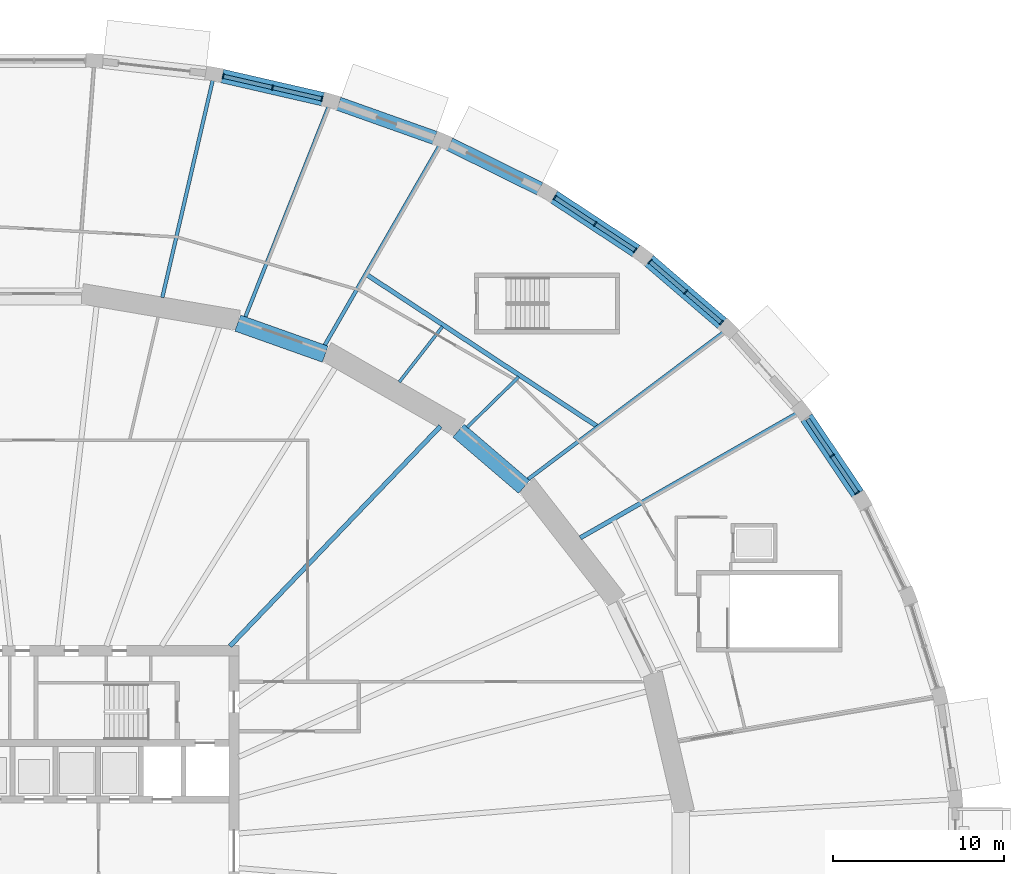
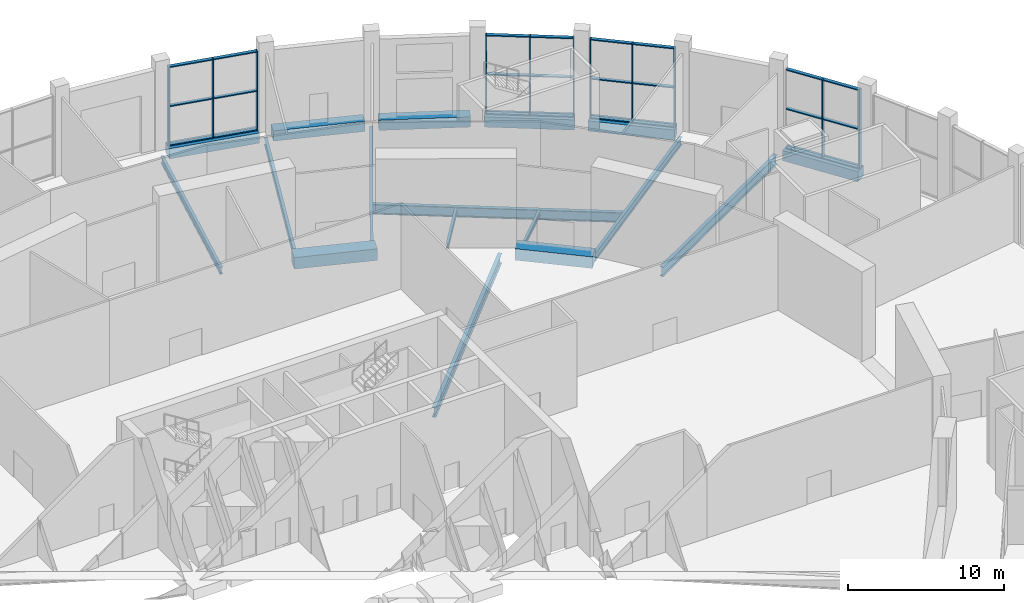
# One storey, part 13 of 33: 35 members, 17 beams, 4 elements without a shape of their own.
"""IFC4 building model written with IfcOpenShell, lengths in metres."""

from ifc_helpers import new_model, si_unit, direction, frame, origin, origin_2d, place, context, subcontext, project, spatial, rectangle, i_section, extrude, material, material_profile, profile_set, type_object, element, aggregate, save


model = new_model("IFC4")

# Units and contexts
model_context = context("Model", 3, precision=1e-05, world=origin(), true_north=direction((0.0, 1.0)))
body_context = subcontext(model_context, "Body", "Model", "MODEL_VIEW")
ifc_project = project(units=[si_unit("LENGTHUNIT", "METRE"), si_unit("AREAUNIT", "SQUARE_METRE"), si_unit("VOLUMEUNIT", "CUBIC_METRE"), si_unit("PLANEANGLEUNIT", "RADIAN"), si_unit("MASSUNIT", "GRAM", prefix="KILO")], contexts=[model_context])

# Site, building, storey
site_placement = place(None, origin())
site = spatial("IfcSite", under=ifc_project, at=site_placement, CompositionType="ELEMENT")
building_placement = place(site_placement, origin())
building = spatial("IfcBuilding", under=site, at=building_placement, Name="Halqa Exchange Tower", CompositionType="ELEMENT")
storey_placement = place(building_placement, origin())
storey = spatial("IfcBuildingStorey", under=building, at=storey_placement, Name="L00", CompositionType="ELEMENT", Elevation=0.0)

# Beams
ifc_material_1 = material(Name="Steel S355", Category="steel")
ifc_material_profile_1 = material_profile(ifc_material_1, i_section(OverallWidth=0.179931640625, OverallDepth=0.39990234375, WebThickness=0.008544921875, FlangeThickness=0.013427734375, FilletRadius=0.02099609375, at=origin_2d()), Name="IPE 400")
ifc_profile_set_1 = profile_set([ifc_material_profile_1], Name="Steel S355")
beam_type_1 = type_object("IfcBeamType", Name="Floor beam IPE 400", PredefinedType="BEAM", material=ifc_profile_set_1)
beam_1_placement = place(storey_placement, frame((25.322265625, 24.757080078125, -0.64990234375), z_axis=(0.715007310884, 0.699116975464, 0.0), x_axis=(-0.699116975464, 0.715007310884, 0.0)))
element("IfcBeam", 1, at=beam_1_placement, inside=storey, type_object=beam_type_1, Name="Radial beam 7a", PredefinedType="BEAM", context=body_context, shape_type="SweptSolid", body=[
    extrude(i_section(OverallWidth=0.179931640625, OverallDepth=0.39990234375, WebThickness=0.008544921875, FlangeThickness=0.013427734375, FilletRadius=0.02099609375, at=origin_2d()), origin(), (0.0, 0.0, 1.0), 4.22509765625),
])
beam_2_placement = place(storey_placement, frame((21.3603515625, 27.40966796875, -0.64990234375), z_axis=(0.614706293657, 0.788756091919, 0.0), x_axis=(-0.788756091919, 0.614706293657, 0.0)))
element("IfcBeam", 2, at=beam_2_placement, inside=storey, type_object=beam_type_1, Name="Radial beam 8a", PredefinedType="BEAM", context=body_context, shape_type="SweptSolid", body=[
    extrude(i_section(OverallWidth=0.179931640625, OverallDepth=0.39990234375, WebThickness=0.008544921875, FlangeThickness=0.013427734375, FilletRadius=0.02099609375, at=origin_2d()), origin(), (0.0, 0.0, 1.0), 4.104248046875),
])
ifc_material_profile_2 = material_profile(ifc_material_1, i_section(OverallWidth=0.2099609375, OverallDepth=0.550048828125, WebThickness=0.010986328125, FlangeThickness=0.01708984375, FilletRadius=0.02392578125, at=origin_2d()), Name="IPE 550")
ifc_profile_set_2 = profile_set([ifc_material_profile_2], Name="Steel S355")
beam_type_2 = type_object("IfcBeamType", Name="Floor beam IPE 550", PredefinedType="BEAM", material=ifc_profile_set_2)
beam_3_placement = place(storey_placement, frame((12.352294921875, 31.2001953125, -0.72509765625), z_axis=(0.368106640822, 0.929783577497, 0.0), x_axis=(-0.929783577497, 0.368106640822, 0.0)))
element("IfcBeam", 3, at=beam_3_placement, inside=storey, type_object=beam_type_2, Name="Radial beam 10", PredefinedType="BEAM", context=body_context, shape_type="SweptSolid", body=[
    extrude(i_section(OverallWidth=0.2099609375, OverallDepth=0.550048828125, WebThickness=0.010986328125, FlangeThickness=0.01708984375, FilletRadius=0.02392578125, at=origin_2d()), origin(), (0.0, 0.0, 1.0), 13.22412109375),
])
beam_4_placement = place(storey_placement, frame((7.5048828125, 32.35009765625, -0.72509765625), z_axis=(0.2259960959, 0.974128207495, 0.0), x_axis=(-0.974128207495, 0.2259960959, 0.0)))
element("IfcBeam", 4, at=beam_4_placement, inside=storey, type_object=beam_type_2, Name="Radial beam 11", PredefinedType="BEAM", context=body_context, shape_type="SweptSolid", body=[
    extrude(i_section(OverallWidth=0.2099609375, OverallDepth=0.550048828125, WebThickness=0.010986328125, FlangeThickness=0.01708984375, FilletRadius=0.02392578125, at=origin_2d()), origin(), (0.0, 0.0, 1.0), 13.03466796875),
])
ifc_material_profile_3 = material_profile(ifc_material_1, i_section(OverallWidth=0.219970703125, OverallDepth=0.60009765625, WebThickness=0.011962890625, FlangeThickness=0.01904296875, FilletRadius=0.02392578125, at=origin_2d()), Name="IPE 600")
ifc_profile_set_3 = profile_set([ifc_material_profile_3], Name="Steel S355")
beam_type_3 = type_object("IfcBeamType", Name="Floor beam IPE 600", PredefinedType="BEAM", material=ifc_profile_set_3)
beam_5_placement = place(storey_placement, frame((28.875732421875, 21.71240234375, -0.75), z_axis=(0.799257291391, 0.600989003359, 0.0), x_axis=(-0.600989003359, 0.799257291391, 0.0)))
element("IfcBeam", 5, at=beam_5_placement, inside=storey, type_object=beam_type_3, Name="Radial beam 6", PredefinedType="BEAM", context=body_context, shape_type="SweptSolid", body=[
    extrude(i_section(OverallWidth=0.219970703125, OverallDepth=0.60009765625, WebThickness=0.011962890625, FlangeThickness=0.01904296875, FilletRadius=0.02392578125, at=origin_2d()), origin(), (0.0, 0.0, 1.0), 14.291259765625),
])
beam_6_placement = place(storey_placement, frame((16.996826171875, 29.551513671875, -0.75), z_axis=(0.498570786865, 0.866848989435, 0.0), x_axis=(-0.866848989435, 0.498570786865, 0.0)))
element("IfcBeam", 6, at=beam_6_placement, inside=storey, type_object=beam_type_3, Name="Radial beam 9", PredefinedType="BEAM", context=body_context, shape_type="SweptSolid", body=[
    extrude(i_section(OverallWidth=0.219970703125, OverallDepth=0.60009765625, WebThickness=0.011962890625, FlangeThickness=0.01904296875, FilletRadius=0.02392578125, at=origin_2d()), origin(), (0.0, 0.0, 1.0), 13.438720703125),
])
ifc_material_profile_4 = material_profile(ifc_material_1, i_section(OverallWidth=0.264892578125, OverallDepth=0.7529296875, WebThickness=0.01318359375, FlangeThickness=0.01708984375, FilletRadius=0.01708984375, at=origin_2d()), Name="IPE 750x147")
ifc_profile_set_4 = profile_set([ifc_material_profile_4], Name="Steel S355")
beam_type_4 = type_object("IfcBeamType", Name="Floor beam IPE 750x147", PredefinedType="BEAM", material=ifc_profile_set_4)
beam_7_placement = place(storey_placement, frame((31.942626953125, 18.300048828125, -0.826416015625), z_axis=(0.867691436398, 0.497103179633, 0.0), x_axis=(-0.497103179633, 0.867691436398, 0.0)))
element("IfcBeam", 7, at=beam_7_placement, inside=storey, type_object=beam_type_4, Name="Radial beam 5", PredefinedType="BEAM", context=body_context, shape_type="SweptSolid", body=[
    extrude(i_section(OverallWidth=0.264892578125, OverallDepth=0.7529296875, WebThickness=0.01318359375, FlangeThickness=0.01708984375, FilletRadius=0.01708984375, at=origin_2d()), origin(), (0.0, 0.0, 1.0), 14.555908203125),
])
ifc_material_profile_5 = material_profile(ifc_material_1, i_section(OverallWidth=0.26806640625, OverallDepth=0.77001953125, WebThickness=0.015625, FlangeThickness=0.025390625, FilletRadius=0.01708984375, at=origin_2d()), Name="IPE 750x196")
ifc_profile_set_5 = profile_set([ifc_material_profile_5], Name="Steel S355")
beam_type_5 = type_object("IfcBeamType", Name="Floor beam IPE 750x196", PredefinedType="BEAM", material=ifc_profile_set_5)
beam_8_placement = place(storey_placement, frame((11.46240234375, 11.9716796875, -0.8349609375), z_axis=(0.6915763718, 0.722303344841, 0.0), x_axis=(-0.722303344841, 0.6915763718, 0.0)))
element("IfcBeam", 8, at=beam_8_placement, inside=storey, type_object=beam_type_5, Name="Radial beam 5", PredefinedType="BEAM", context=body_context, shape_type="SweptSolid", body=[
    extrude(i_section(OverallWidth=0.26806640625, OverallDepth=0.77001953125, WebThickness=0.015625, FlangeThickness=0.025390625, FilletRadius=0.01708984375, at=origin_2d()), origin(), (0.0, 0.0, 1.0), 17.7978515625),
])
beam_9_placement = place(storey_placement, frame((32.896728515625, 24.839599609375, -0.8349609375), z_axis=(-0.835204203593, 0.54993994063, 0.0), x_axis=(-0.54993994063, -0.835204203593, 0.0)))
element("IfcBeam", 9, at=beam_9_placement, inside=storey, type_object=beam_type_5, Name="Radial beam TPS1-in", PredefinedType="BEAM", context=body_context, shape_type="SweptSolid", body=[
    extrude(i_section(OverallWidth=0.26806640625, OverallDepth=0.77001953125, WebThickness=0.015625, FlangeThickness=0.025390625, FilletRadius=0.01708984375, at=origin_2d()), origin(), (0.0, 0.0, 1.0), 16.07958984375),
])
ifc_material_2 = material(Name="Concrete C60/75", Category="concrete")
ifc_material_profile_6 = material_profile(ifc_material_2, rectangle(XDim=0.800048828125, YDim=0.800048828125, at=origin_2d()), Name="800 x 800")
ifc_profile_set_6 = profile_set([ifc_material_profile_6], Name="Concrete C60/75")
beam_type_6 = type_object("IfcBeamType", Name="RC podium edge beam 800 x 800 C60/75", PredefinedType="SPANDREL", material=ifc_profile_set_6)
beam_10_placement = place(storey_placement, frame((48.1669921875, 20.8701171875, -0.39990234375), z_axis=(-0.558528358221, 0.829485426673, 0.0), x_axis=(-0.829485426673, -0.558528358221, 0.0)))
element("IfcBeam", 10, at=beam_10_placement, inside=storey, type_object=beam_type_6, Name="Podium edge beam 4", PredefinedType="SPANDREL", context=body_context, shape_type="SweptSolid", body=[
    extrude(rectangle(XDim=0.800048828125, YDim=0.800048828125, at=origin_2d()), origin(), (0.0, 0.0, 1.0), 5.378173828125),
])
beam_11_placement = place(storey_placement, frame((40.240478515625, 30.83544921875, -0.39990234375), z_axis=(-0.759174010844, 0.650887717859, 0.0), x_axis=(-0.650887717859, -0.759174010844, 0.0)))
element("IfcBeam", 11, at=beam_11_placement, inside=storey, type_object=beam_type_6, Name="Podium edge beam 6", PredefinedType="SPANDREL", context=body_context, shape_type="SweptSolid", body=[
    extrude(rectangle(XDim=0.800048828125, YDim=0.800048828125, at=origin_2d()), origin(), (0.0, 0.0, 1.0), 5.63427734375),
])
beam_12_placement = place(storey_placement, frame((35.208984375, 35.070556640625, -0.39990234375), z_axis=(-0.835418618456, 0.549614166426, 0.0), x_axis=(-0.549614166426, -0.835418618456, 0.0)))
element("IfcBeam", 12, at=beam_12_placement, inside=storey, type_object=beam_type_6, Name="Podium edge beam 7", PredefinedType="SPANDREL", context=body_context, shape_type="SweptSolid", body=[
    extrude(rectangle(XDim=0.800048828125, YDim=0.800048828125, at=origin_2d()), origin(), (0.0, 0.0, 1.0), 5.760986328125),
])
beam_13_placement = place(storey_placement, frame((29.576904296875, 38.706787109375, -0.39990234375), z_axis=(-0.896205416004, 0.443639326847, 0.0), x_axis=(-0.443639326847, -0.896205416004, 0.0)))
element("IfcBeam", 13, at=beam_13_placement, inside=storey, type_object=beam_type_6, Name="Podium edge beam 8", PredefinedType="SPANDREL", context=body_context, shape_type="SweptSolid", body=[
    extrude(rectangle(XDim=0.800048828125, YDim=0.800048828125, at=origin_2d()), origin(), (0.0, 0.0, 1.0), 5.880126953125),
])
beam_14_placement = place(storey_placement, frame((23.4384765625, 41.683349609375, -0.39990234375), z_axis=(-0.942343471221, 0.334647250469, 0.0), x_axis=(-0.334647250469, -0.942343471221, 0.0)))
element("IfcBeam", 14, at=beam_14_placement, inside=storey, type_object=beam_type_6, Name="Podium edge beam 9", PredefinedType="SPANDREL", context=body_context, shape_type="SweptSolid", body=[
    extrude(rectangle(XDim=0.800048828125, YDim=0.800048828125, at=origin_2d()), origin(), (0.0, 0.0, 1.0), 5.980712890625),
])
beam_15_placement = place(storey_placement, frame((16.89794921875, 43.948486328125, -0.39990234375), z_axis=(-0.974604133477, 0.223934774008, 0.0), x_axis=(-0.223934774008, -0.974604133477, 0.0)))
element("IfcBeam", 15, at=beam_15_placement, inside=storey, type_object=beam_type_6, Name="Podium edge beam 10", PredefinedType="SPANDREL", context=body_context, shape_type="SweptSolid", body=[
    extrude(rectangle(XDim=0.800048828125, YDim=0.800048828125, at=origin_2d()), origin(), (0.0, 0.0, 1.0), 6.05517578125),
])
ifc_material_profile_7 = material_profile(ifc_material_2, rectangle(XDim=1.0, YDim=0.89990234375, at=origin_2d()), Name="1000 x 900")
ifc_profile_set_7 = profile_set([ifc_material_profile_7], Name="Concrete C60/75")
beam_type_7 = type_object("IfcBeamType", Name="RC spandrel beam 1000 x 900 C60/75", PredefinedType="SPANDREL", material=ifc_profile_set_7)
beam_16_placement = place(storey_placement, frame((28.659423828125, 21.27587890625, -0.449951171875), z_axis=(-0.759263417999, 0.650783421799, 0.0), x_axis=(-0.650783421799, -0.759263417999, 0.0)))
element("IfcBeam", 16, at=beam_16_placement, inside=storey, type_object=beam_type_7, Name="Spandrel 4", PredefinedType="SPANDREL", context=body_context, shape_type="SweptSolid", body=[
    extrude(rectangle(XDim=1.0, YDim=0.89990234375, at=origin_2d()), origin(), (0.0, 0.0, 1.0), 5.056884765625),
])
beam_17_placement = place(storey_placement, frame((17.030029296875, 29.038818359375, -0.449951171875), z_axis=(-0.942357788657, 0.334606930826, 0.0), x_axis=(-0.334606930826, -0.942357788657, 0.0)))
element("IfcBeam", 17, at=beam_17_placement, inside=storey, type_object=beam_type_7, Name="Spandrel 6", PredefinedType="SPANDREL", context=body_context, shape_type="SweptSolid", body=[
    extrude(rectangle(XDim=1.0, YDim=0.89990234375, at=origin_2d()), origin(), (0.0, 0.0, 1.0), 5.429931640625),
])

# Curtain wall, members
ifc_material_3 = material(Name="Anodised aluminium and clear glass", Category="aluminium")
curtain_wall_type = type_object("IfcCurtainWallType", Name="Station concourse glazing", PredefinedType="NOTDEFINED", material=ifc_material_3)
curtain_wall_1_placement = place(storey_placement, origin())
curtain_wall_1 = element("IfcCurtainWall", 18, at=curtain_wall_1_placement, inside=storey, type_object=curtain_wall_type, Name="Station concourse glazing run P4", PredefinedType="NOTDEFINED")
ifc_material_4 = material(Name="Anodised aluminium", Category="aluminium")
ifc_material_profile_8 = material_profile(ifc_material_4, rectangle(XDim=0.300048828125, YDim=0.080078125, at=origin_2d()), Name="AL 80x300")
ifc_profile_set_8 = profile_set([ifc_material_profile_8], Name="Anodised aluminium")
member_type_1 = type_object("IfcMemberType", Name="Station concourse glazing mullion 80 x 300", PredefinedType="MULLION", material=ifc_profile_set_8)
member_1_placement = place(storey_placement, frame((48.12939453125, 20.92578125, 0.0), z_axis=(0.0, 0.0, 1.0), x_axis=(-0.8294895023, -0.55852230535, 0.0)))
member_1 = element("IfcMember", 19, at=member_1_placement, type_object=member_type_1, Name="P4 mullion 1", PredefinedType="MULLION", context=body_context, shape_type="SweptSolid", body=[
    extrude(rectangle(XDim=0.300048828125, YDim=0.080078125, at=origin_2d()), origin(), (0.0, 0.0, 1.0), 6.199951171875),
])
member_2_placement = place(storey_placement, frame((46.665283203125, 23.100341796875, 0.0), z_axis=(0.0, 0.0, 1.0), x_axis=(-0.8294895023, -0.55852230535, 0.0)))
member_2 = element("IfcMember", 20, at=member_2_placement, type_object=member_type_1, Name="P4 mullion 2", PredefinedType="MULLION", context=body_context, shape_type="SweptSolid", body=[
    extrude(rectangle(XDim=0.300048828125, YDim=0.080078125, at=origin_2d()), origin(), (0.0, 0.0, 1.0), 6.199951171875),
])

curtain_wall_2_placement = place(storey_placement, origin())
curtain_wall_2 = element("IfcCurtainWall", 21, at=curtain_wall_2_placement, inside=storey, type_object=curtain_wall_type, Name="Station concourse glazing run P6", PredefinedType="NOTDEFINED")
member_3_placement = place(storey_placement, frame((40.189453125, 30.879150390625, 0.0), z_axis=(0.0, 0.0, 1.0), x_axis=(-0.650910929175, -0.759154109704, 0.0)))
member_3 = element("IfcMember", 22, at=member_3_placement, type_object=member_type_1, Name="P6 mullion 1", PredefinedType="MULLION", context=body_context, shape_type="SweptSolid", body=[
    extrude(rectangle(XDim=0.300048828125, YDim=0.080078125, at=origin_2d()), origin(), (0.0, 0.0, 1.0), 6.199951171875),
])
member_4_placement = place(storey_placement, frame((38.10205078125, 32.6689453125, 0.0), z_axis=(0.0, 0.0, 1.0), x_axis=(-0.650910929175, -0.759154109704, 0.0)))
member_4 = element("IfcMember", 23, at=member_4_placement, type_object=member_type_1, Name="P6 mullion 2", PredefinedType="MULLION", context=body_context, shape_type="SweptSolid", body=[
    extrude(rectangle(XDim=0.300048828125, YDim=0.080078125, at=origin_2d()), origin(), (0.0, 0.0, 1.0), 6.199951171875),
])
member_5_placement = place(storey_placement, frame((36.0146484375, 34.458740234375, 0.0), z_axis=(0.0, 0.0, 1.0), x_axis=(-0.650910929175, -0.759154109704, 0.0)))
member_5 = element("IfcMember", 24, at=member_5_placement, type_object=member_type_1, Name="P6 mullion 3", PredefinedType="MULLION", context=body_context, shape_type="SweptSolid", body=[
    extrude(rectangle(XDim=0.300048828125, YDim=0.080078125, at=origin_2d()), origin(), (0.0, 0.0, 1.0), 6.199951171875),
])

curtain_wall_3_placement = place(storey_placement, origin())
curtain_wall_3 = element("IfcCurtainWall", 25, at=curtain_wall_3_placement, inside=storey, type_object=curtain_wall_type, Name="Station concourse glazing run P7", PredefinedType="NOTDEFINED")
member_6_placement = place(storey_placement, frame((35.153564453125, 35.10693359375, 0.0), z_axis=(0.0, 0.0, 1.0), x_axis=(-0.549620040919, -0.835414753652, 0.0)))
member_6 = element("IfcMember", 26, at=member_6_placement, type_object=member_type_1, Name="P7 mullion 1", PredefinedType="MULLION", context=body_context, shape_type="SweptSolid", body=[
    extrude(rectangle(XDim=0.300048828125, YDim=0.080078125, at=origin_2d()), origin(), (0.0, 0.0, 1.0), 6.199951171875),
])
member_7_placement = place(storey_placement, frame((32.802734375, 36.653564453125, 0.0), z_axis=(0.0, 0.0, 1.0), x_axis=(-0.549620040919, -0.835414753652, 0.0)))
member_7 = element("IfcMember", 27, at=member_7_placement, type_object=member_type_1, Name="P7 mullion 2", PredefinedType="MULLION", context=body_context, shape_type="SweptSolid", body=[
    extrude(rectangle(XDim=0.300048828125, YDim=0.080078125, at=origin_2d()), origin(), (0.0, 0.0, 1.0), 6.199951171875),
])
member_8_placement = place(storey_placement, frame((30.451904296875, 38.2001953125, 0.0), z_axis=(0.0, 0.0, 1.0), x_axis=(-0.549620040919, -0.835414753652, 0.0)))
member_8 = element("IfcMember", 28, at=member_8_placement, type_object=member_type_1, Name="P7 mullion 3", PredefinedType="MULLION", context=body_context, shape_type="SweptSolid", body=[
    extrude(rectangle(XDim=0.300048828125, YDim=0.080078125, at=origin_2d()), origin(), (0.0, 0.0, 1.0), 6.199951171875),
])

curtain_wall_4_placement = place(storey_placement, origin())
curtain_wall_4 = element("IfcCurtainWall", 29, at=curtain_wall_4_placement, inside=storey, type_object=curtain_wall_type, Name="Station concourse glazing run P10", PredefinedType="NOTDEFINED")
member_9_placement = place(storey_placement, frame((16.831298828125, 43.9638671875, 0.0), z_axis=(0.0, 0.0, 1.0), x_axis=(-0.223896655269, -0.974612891234, 0.0)))
member_9 = element("IfcMember", 30, at=member_9_placement, type_object=member_type_1, Name="P10 mullion 1", PredefinedType="MULLION", context=body_context, shape_type="SweptSolid", body=[
    extrude(rectangle(XDim=0.300048828125, YDim=0.080078125, at=origin_2d()), origin(), (0.0, 0.0, 1.0), 6.199951171875),
])
member_10_placement = place(storey_placement, frame((13.9462890625, 44.626708984375, 0.0), z_axis=(0.0, 0.0, 1.0), x_axis=(-0.223896655269, -0.974612891234, 0.0)))
member_10 = element("IfcMember", 31, at=member_10_placement, type_object=member_type_1, Name="P10 mullion 2", PredefinedType="MULLION", context=body_context, shape_type="SweptSolid", body=[
    extrude(rectangle(XDim=0.300048828125, YDim=0.080078125, at=origin_2d()), origin(), (0.0, 0.0, 1.0), 6.199951171875),
])
member_11_placement = place(storey_placement, frame((11.061279296875, 45.28955078125, 0.0), z_axis=(0.0, 0.0, 1.0), x_axis=(-0.223896655269, -0.974612891234, 0.0)))
member_11 = element("IfcMember", 32, at=member_11_placement, type_object=member_type_1, Name="P10 mullion 3", PredefinedType="MULLION", context=body_context, shape_type="SweptSolid", body=[
    extrude(rectangle(XDim=0.300048828125, YDim=0.080078125, at=origin_2d()), origin(), (0.0, 0.0, 1.0), 6.199951171875),
])

# Member
ifc_material_profile_9 = material_profile(ifc_material_4, rectangle(XDim=0.25, YDim=0.080078125, at=origin_2d()), Name="AL 80x250")
ifc_profile_set_9 = profile_set([ifc_material_profile_9], Name="Anodised aluminium")
member_type_2 = type_object("IfcMemberType", Name="Station concourse glazing transom 80 x 250", PredefinedType="USERDEFINED", material=ifc_profile_set_9)
member_12_placement = place(storey_placement, frame((48.107177734375, 20.958984375, 0.0400390625), z_axis=(-0.558528904332, 0.829485058953, 0.0), x_axis=(-0.829485058953, -0.558528904332, 0.0)))
member_12 = element("IfcMember", 33, at=member_12_placement, type_object=member_type_2, Name="P4 transom 1.1", ObjectType="TRANSOM", PredefinedType="USERDEFINED", context=body_context, shape_type="SweptSolid", body=[
    extrude(rectangle(XDim=0.25, YDim=0.080078125, at=origin_2d()), origin(), (0.0, 0.0, 1.0), 2.541748046875),
])

member_13_placement = place(storey_placement, frame((48.107177734375, 20.958984375, 3.10009765625), z_axis=(-0.558528904332, 0.829485058953, 0.0), x_axis=(-0.829485058953, -0.558528904332, 0.0)))
member_13 = element("IfcMember", 34, at=member_13_placement, type_object=member_type_2, Name="P4 transom 1.2", ObjectType="TRANSOM", PredefinedType="USERDEFINED", context=body_context, shape_type="SweptSolid", body=[
    extrude(rectangle(XDim=0.25, YDim=0.080078125, at=origin_2d()), origin(), (0.0, 0.0, 1.0), 2.541748046875),
])

member_14_placement = place(storey_placement, frame((48.107177734375, 20.958984375, 6.159912109375), z_axis=(-0.558528904332, 0.829485058953, 0.0), x_axis=(-0.829485058953, -0.558528904332, 0.0)))
member_14 = element("IfcMember", 35, at=member_14_placement, type_object=member_type_2, Name="P4 transom 1.3", ObjectType="TRANSOM", PredefinedType="USERDEFINED", context=body_context, shape_type="SweptSolid", body=[
    extrude(rectangle(XDim=0.25, YDim=0.080078125, at=origin_2d()), origin(), (0.0, 0.0, 1.0), 2.541748046875),
])

member_15_placement = place(storey_placement, frame((46.642822265625, 23.133544921875, 0.0400390625), z_axis=(-0.558462812465, 0.829529557697, 0.0), x_axis=(-0.829529557697, -0.558462812465, 0.0)))
member_15 = element("IfcMember", 36, at=member_15_placement, type_object=member_type_2, Name="P4 transom 2.1", ObjectType="TRANSOM", PredefinedType="USERDEFINED", context=body_context, shape_type="SweptSolid", body=[
    extrude(rectangle(XDim=0.25, YDim=0.080078125, at=origin_2d()), origin(), (0.0, 0.0, 1.0), 2.541748046875),
])

member_16_placement = place(storey_placement, frame((46.642822265625, 23.133544921875, 3.10009765625), z_axis=(-0.558462812465, 0.829529557697, 0.0), x_axis=(-0.829529557697, -0.558462812465, 0.0)))
member_16 = element("IfcMember", 37, at=member_16_placement, type_object=member_type_2, Name="P4 transom 2.2", ObjectType="TRANSOM", PredefinedType="USERDEFINED", context=body_context, shape_type="SweptSolid", body=[
    extrude(rectangle(XDim=0.25, YDim=0.080078125, at=origin_2d()), origin(), (0.0, 0.0, 1.0), 2.541748046875),
])

member_17_placement = place(storey_placement, frame((46.642822265625, 23.133544921875, 6.159912109375), z_axis=(-0.558462812465, 0.829529557697, 0.0), x_axis=(-0.829529557697, -0.558462812465, 0.0)))
member_17 = element("IfcMember", 38, at=member_17_placement, type_object=member_type_2, Name="P4 transom 2.3", ObjectType="TRANSOM", PredefinedType="USERDEFINED", context=body_context, shape_type="SweptSolid", body=[
    extrude(rectangle(XDim=0.25, YDim=0.080078125, at=origin_2d()), origin(), (0.0, 0.0, 1.0), 2.541748046875),
])

aggregate(curtain_wall_1, [member_1, member_2, member_12, member_13, member_14, member_15, member_16, member_17])

member_18_placement = place(storey_placement, frame((40.158935546875, 30.9052734375, 0.0400390625), z_axis=(-0.759172672119, 0.6508892793, 0.0), x_axis=(-0.6508892793, -0.759172672119, 0.0)))
member_18 = element("IfcMember", 39, at=member_18_placement, type_object=member_type_2, Name="P6 transom 1.1", ObjectType="TRANSOM", PredefinedType="USERDEFINED", context=body_context, shape_type="SweptSolid", body=[
    extrude(rectangle(XDim=0.25, YDim=0.080078125, at=origin_2d()), origin(), (0.0, 0.0, 1.0), 2.66943359375),
])

member_19_placement = place(storey_placement, frame((40.158935546875, 30.9052734375, 3.10009765625), z_axis=(-0.759172672119, 0.6508892793, 0.0), x_axis=(-0.6508892793, -0.759172672119, 0.0)))
member_19 = element("IfcMember", 40, at=member_19_placement, type_object=member_type_2, Name="P6 transom 1.2", ObjectType="TRANSOM", PredefinedType="USERDEFINED", context=body_context, shape_type="SweptSolid", body=[
    extrude(rectangle(XDim=0.25, YDim=0.080078125, at=origin_2d()), origin(), (0.0, 0.0, 1.0), 2.66943359375),
])

member_20_placement = place(storey_placement, frame((40.158935546875, 30.9052734375, 6.159912109375), z_axis=(-0.759172672119, 0.6508892793, 0.0), x_axis=(-0.6508892793, -0.759172672119, 0.0)))
member_20 = element("IfcMember", 41, at=member_20_placement, type_object=member_type_2, Name="P6 transom 1.3", ObjectType="TRANSOM", PredefinedType="USERDEFINED", context=body_context, shape_type="SweptSolid", body=[
    extrude(rectangle(XDim=0.25, YDim=0.080078125, at=origin_2d()), origin(), (0.0, 0.0, 1.0), 2.66943359375),
])

member_21_placement = place(storey_placement, frame((38.071533203125, 32.695068359375, 0.0400390625), z_axis=(-0.759172672119, 0.6508892793, 0.0), x_axis=(-0.6508892793, -0.759172672119, 0.0)))
member_21 = element("IfcMember", 42, at=member_21_placement, type_object=member_type_2, Name="P6 transom 2.1", ObjectType="TRANSOM", PredefinedType="USERDEFINED", context=body_context, shape_type="SweptSolid", body=[
    extrude(rectangle(XDim=0.25, YDim=0.080078125, at=origin_2d()), origin(), (0.0, 0.0, 1.0), 2.66943359375),
])

member_22_placement = place(storey_placement, frame((38.071533203125, 32.695068359375, 3.10009765625), z_axis=(-0.759172672119, 0.6508892793, 0.0), x_axis=(-0.6508892793, -0.759172672119, 0.0)))
member_22 = element("IfcMember", 43, at=member_22_placement, type_object=member_type_2, Name="P6 transom 2.2", ObjectType="TRANSOM", PredefinedType="USERDEFINED", context=body_context, shape_type="SweptSolid", body=[
    extrude(rectangle(XDim=0.25, YDim=0.080078125, at=origin_2d()), origin(), (0.0, 0.0, 1.0), 2.66943359375),
])

member_23_placement = place(storey_placement, frame((38.071533203125, 32.695068359375, 6.159912109375), z_axis=(-0.759172672119, 0.6508892793, 0.0), x_axis=(-0.6508892793, -0.759172672119, 0.0)))
member_23 = element("IfcMember", 44, at=member_23_placement, type_object=member_type_2, Name="P6 transom 2.3", ObjectType="TRANSOM", PredefinedType="USERDEFINED", context=body_context, shape_type="SweptSolid", body=[
    extrude(rectangle(XDim=0.25, YDim=0.080078125, at=origin_2d()), origin(), (0.0, 0.0, 1.0), 2.66943359375),
])

aggregate(curtain_wall_2, [member_3, member_4, member_5, member_18, member_19, member_20, member_21, member_22, member_23])

member_24_placement = place(storey_placement, frame((35.1201171875, 35.12890625, 0.0400390625), z_axis=(-0.835400896538, 0.54964110296, 0.0), x_axis=(-0.54964110296, -0.835400896538, 0.0)))
member_24 = element("IfcMember", 45, at=member_24_placement, type_object=member_type_2, Name="P7 transom 1.1", ObjectType="TRANSOM", PredefinedType="USERDEFINED", context=body_context, shape_type="SweptSolid", body=[
    extrude(rectangle(XDim=0.25, YDim=0.080078125, at=origin_2d()), origin(), (0.0, 0.0, 1.0), 2.73388671875),
])

member_25_placement = place(storey_placement, frame((35.1201171875, 35.12890625, 3.10009765625), z_axis=(-0.835400896538, 0.54964110296, 0.0), x_axis=(-0.54964110296, -0.835400896538, 0.0)))
member_25 = element("IfcMember", 46, at=member_25_placement, type_object=member_type_2, Name="P7 transom 1.2", ObjectType="TRANSOM", PredefinedType="USERDEFINED", context=body_context, shape_type="SweptSolid", body=[
    extrude(rectangle(XDim=0.25, YDim=0.080078125, at=origin_2d()), origin(), (0.0, 0.0, 1.0), 2.73388671875),
])

member_26_placement = place(storey_placement, frame((35.1201171875, 35.12890625, 6.159912109375), z_axis=(-0.835400896538, 0.54964110296, 0.0), x_axis=(-0.54964110296, -0.835400896538, 0.0)))
member_26 = element("IfcMember", 47, at=member_26_placement, type_object=member_type_2, Name="P7 transom 1.3", ObjectType="TRANSOM", PredefinedType="USERDEFINED", context=body_context, shape_type="SweptSolid", body=[
    extrude(rectangle(XDim=0.25, YDim=0.080078125, at=origin_2d()), origin(), (0.0, 0.0, 1.0), 2.73388671875),
])

member_27_placement = place(storey_placement, frame((32.769287109375, 36.675537109375, 0.0400390625), z_axis=(-0.835400896538, 0.54964110296, 0.0), x_axis=(-0.54964110296, -0.835400896538, 0.0)))
member_27 = element("IfcMember", 48, at=member_27_placement, type_object=member_type_2, Name="P7 transom 2.1", ObjectType="TRANSOM", PredefinedType="USERDEFINED", context=body_context, shape_type="SweptSolid", body=[
    extrude(rectangle(XDim=0.25, YDim=0.080078125, at=origin_2d()), origin(), (0.0, 0.0, 1.0), 2.73388671875),
])

member_28_placement = place(storey_placement, frame((32.769287109375, 36.675537109375, 3.10009765625), z_axis=(-0.835400896538, 0.54964110296, 0.0), x_axis=(-0.54964110296, -0.835400896538, 0.0)))
member_28 = element("IfcMember", 49, at=member_28_placement, type_object=member_type_2, Name="P7 transom 2.2", ObjectType="TRANSOM", PredefinedType="USERDEFINED", context=body_context, shape_type="SweptSolid", body=[
    extrude(rectangle(XDim=0.25, YDim=0.080078125, at=origin_2d()), origin(), (0.0, 0.0, 1.0), 2.73388671875),
])

member_29_placement = place(storey_placement, frame((32.769287109375, 36.675537109375, 6.159912109375), z_axis=(-0.835400896538, 0.54964110296, 0.0), x_axis=(-0.54964110296, -0.835400896538, 0.0)))
member_29 = element("IfcMember", 50, at=member_29_placement, type_object=member_type_2, Name="P7 transom 2.3", ObjectType="TRANSOM", PredefinedType="USERDEFINED", context=body_context, shape_type="SweptSolid", body=[
    extrude(rectangle(XDim=0.25, YDim=0.080078125, at=origin_2d()), origin(), (0.0, 0.0, 1.0), 2.73388671875),
])

aggregate(curtain_wall_3, [member_6, member_7, member_8, member_24, member_25, member_26, member_27, member_28, member_29])

member_30_placement = place(storey_placement, frame((16.79248046875, 43.972900390625, 0.0400390625), z_axis=(-0.974620692621, 0.223862693443, 0.0), x_axis=(-0.223862693443, -0.974620692621, 0.0)))
member_30 = element("IfcMember", 51, at=member_30_placement, type_object=member_type_2, Name="P10 transom 1.1", ObjectType="TRANSOM", PredefinedType="USERDEFINED", context=body_context, shape_type="SweptSolid", body=[
    extrude(rectangle(XDim=0.25, YDim=0.080078125, at=origin_2d()), origin(), (0.0, 0.0, 1.0), 2.880126953125),
])

member_31_placement = place(storey_placement, frame((16.79248046875, 43.972900390625, 3.10009765625), z_axis=(-0.974620692621, 0.223862693443, 0.0), x_axis=(-0.223862693443, -0.974620692621, 0.0)))
member_31 = element("IfcMember", 52, at=member_31_placement, type_object=member_type_2, Name="P10 transom 1.2", ObjectType="TRANSOM", PredefinedType="USERDEFINED", context=body_context, shape_type="SweptSolid", body=[
    extrude(rectangle(XDim=0.25, YDim=0.080078125, at=origin_2d()), origin(), (0.0, 0.0, 1.0), 2.880126953125),
])

member_32_placement = place(storey_placement, frame((16.79248046875, 43.972900390625, 6.159912109375), z_axis=(-0.974620692621, 0.223862693443, 0.0), x_axis=(-0.223862693443, -0.974620692621, 0.0)))
member_32 = element("IfcMember", 53, at=member_32_placement, type_object=member_type_2, Name="P10 transom 1.3", ObjectType="TRANSOM", PredefinedType="USERDEFINED", context=body_context, shape_type="SweptSolid", body=[
    extrude(rectangle(XDim=0.25, YDim=0.080078125, at=origin_2d()), origin(), (0.0, 0.0, 1.0), 2.880126953125),
])

member_33_placement = place(storey_placement, frame((13.9072265625, 44.635498046875, 0.0400390625), z_axis=(-0.974602195653, 0.223943207594, 0.0), x_axis=(-0.223943207594, -0.974602195653, 0.0)))
member_33 = element("IfcMember", 54, at=member_33_placement, type_object=member_type_2, Name="P10 transom 2.1", ObjectType="TRANSOM", PredefinedType="USERDEFINED", context=body_context, shape_type="SweptSolid", body=[
    extrude(rectangle(XDim=0.25, YDim=0.080078125, at=origin_2d()), origin(), (0.0, 0.0, 1.0), 2.88037109375),
])

member_34_placement = place(storey_placement, frame((13.9072265625, 44.635498046875, 3.10009765625), z_axis=(-0.974602195653, 0.223943207594, 0.0), x_axis=(-0.223943207594, -0.974602195653, 0.0)))
member_34 = element("IfcMember", 55, at=member_34_placement, type_object=member_type_2, Name="P10 transom 2.2", ObjectType="TRANSOM", PredefinedType="USERDEFINED", context=body_context, shape_type="SweptSolid", body=[
    extrude(rectangle(XDim=0.25, YDim=0.080078125, at=origin_2d()), origin(), (0.0, 0.0, 1.0), 2.88037109375),
])

member_35_placement = place(storey_placement, frame((13.9072265625, 44.635498046875, 6.159912109375), z_axis=(-0.974602195653, 0.223943207594, 0.0), x_axis=(-0.223943207594, -0.974602195653, 0.0)))
member_35 = element("IfcMember", 56, at=member_35_placement, type_object=member_type_2, Name="P10 transom 2.3", ObjectType="TRANSOM", PredefinedType="USERDEFINED", context=body_context, shape_type="SweptSolid", body=[
    extrude(rectangle(XDim=0.25, YDim=0.080078125, at=origin_2d()), origin(), (0.0, 0.0, 1.0), 2.88037109375),
])

aggregate(curtain_wall_4, [member_9, member_10, member_11, member_30, member_31, member_32, member_33, member_34, member_35])

save(model, "model.ifc")
